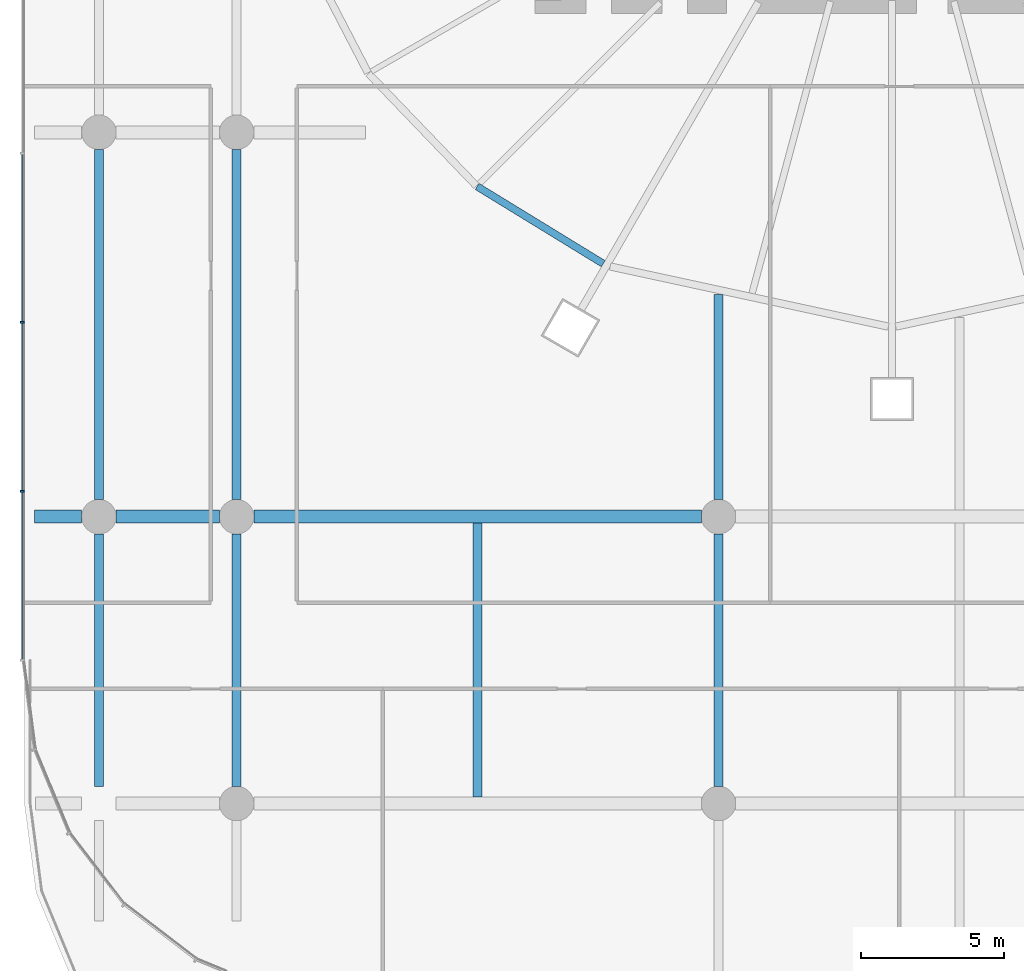
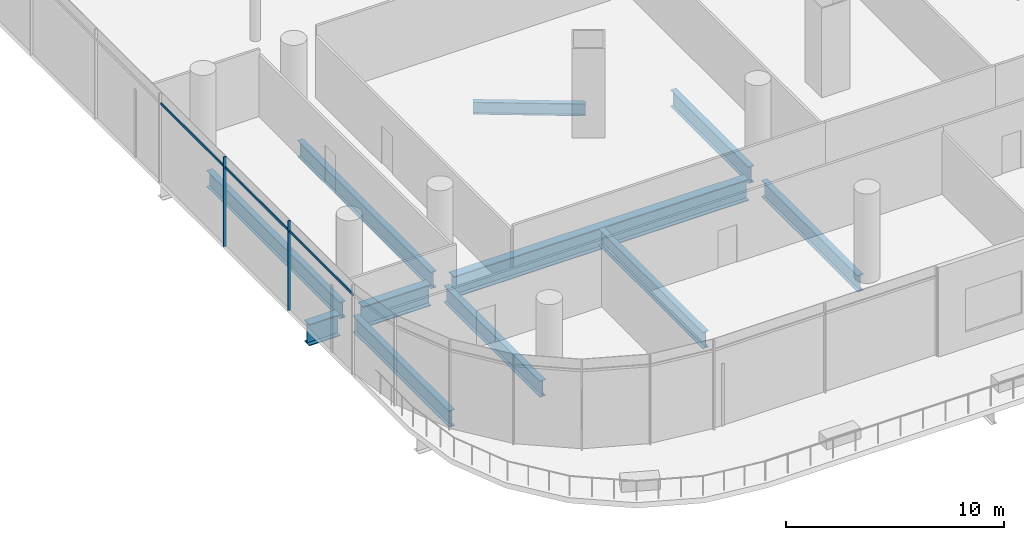
# One storey, part 4 of 51: 11 beams, 5 members, 1 element without a shape of its own.
"""IFC4 building model written with IfcOpenShell, lengths in metres."""

from ifc_helpers import new_model, si_unit, direction, frame, origin, origin_2d, place, context, subcontext, project, spatial, rectangle, i_section, extrude, material, material_profile, profile_set, type_object, element, aggregate, save


model = new_model("IFC4")

# Units and contexts
model_context = context("Model", 3, precision=1e-05, world=origin(), true_north=direction((0.0, 1.0)))
body_context = subcontext(model_context, "Body", "Model", "MODEL_VIEW")
ifc_project = project(units=[si_unit("LENGTHUNIT", "METRE"), si_unit("AREAUNIT", "SQUARE_METRE"), si_unit("VOLUMEUNIT", "CUBIC_METRE"), si_unit("PLANEANGLEUNIT", "RADIAN"), si_unit("MASSUNIT", "GRAM", prefix="KILO")], contexts=[model_context])

# Site, building, storey
site_placement = place(None, origin())
site = spatial("IfcSite", under=ifc_project, at=site_placement, CompositionType="ELEMENT")
building_placement = place(site_placement, origin())
building = spatial("IfcBuilding", under=site, at=building_placement, Name="Rimbun Link Towers", CompositionType="ELEMENT")
storey_placement = place(building_placement, frame((0.0, 0.0, 7.0)))
storey = spatial("IfcBuildingStorey", under=building, at=storey_placement, Name="L01", CompositionType="ELEMENT", Elevation=7.0)

# Curtain wall, members
ifc_material_1 = material(Name="Aluminium 6063-T6 and low-iron glass", Category="aluminium")
curtain_wall_type = type_object("IfcCurtainWallType", Name="CW3 podium shopfront", PredefinedType="NOTDEFINED", material=ifc_material_1)
curtain_wall_placement = place(storey_placement, origin())
curtain_wall = element("IfcCurtainWall", 1, at=curtain_wall_placement, inside=storey, type_object=curtain_wall_type, Name="CW3 L01 PD", PredefinedType="NOTDEFINED")
ifc_material_2 = material(Name="Aluminium 6063-T6", Category="aluminium")
ifc_material_profile_1 = material_profile(ifc_material_2, rectangle(XDim=0.14990234375, YDim=0.06005859375, at=origin_2d()), Name="MULLION 60X150")
ifc_profile_set_1 = profile_set([ifc_material_profile_1], Name="Aluminium 6063-T6")
member_type_1 = type_object("IfcMemberType", Name="CW3 mullion 60X150", PredefinedType="MULLION", material=ifc_profile_set_1)
member_1_placement = place(storey_placement, frame((-62.074951171875, -19.22216796875, 0.0), z_axis=(0.0, 0.0, 1.0), x_axis=(-1.0, 0.0, 0.0)))
member_1 = element("IfcMember", 2, at=member_1_placement, type_object=member_type_1, Name="CW3 mullion", PredefinedType="MULLION", context=body_context, shape_type="SweptSolid", body=[
    extrude(rectangle(XDim=0.14990234375, YDim=0.06005859375, at=origin_2d()), origin(), (0.0, 0.0, 1.0), 5.0),
])
member_2_placement = place(storey_placement, frame((-62.074951171875, -25.111083984375, 0.0), z_axis=(0.0, 0.0, 1.0), x_axis=(-1.0, 0.0, 0.0)))
member_2 = element("IfcMember", 3, at=member_2_placement, type_object=member_type_1, Name="CW3 mullion", PredefinedType="MULLION", context=body_context, shape_type="SweptSolid", body=[
    extrude(rectangle(XDim=0.14990234375, YDim=0.06005859375, at=origin_2d()), origin(), (0.0, 0.0, 1.0), 5.0),
])
ifc_material_3 = material(Name="Aluminium 6063-T6", Category="aluminium")
ifc_material_profile_2 = material_profile(ifc_material_3, rectangle(XDim=0.06005859375, YDim=0.1201171875, at=origin_2d()), Name="TRANSOM 60X120")
ifc_profile_set_2 = profile_set([ifc_material_profile_2], Name="Aluminium 6063-T6")
member_type_2 = type_object("IfcMemberType", Name="CW3 transom 60X120", PredefinedType="USERDEFINED", material=ifc_profile_set_2)
member_3_placement = place(storey_placement, frame((-62.053955078125, -19.192138671875, 4.39990234375), z_axis=(0.0, 1.0, 0.0), x_axis=(-1.0, 0.0, 0.0)))
member_3 = element("IfcMember", 4, at=member_3_placement, type_object=member_type_2, Name="CW3 transom", ObjectType="TRANSOM", PredefinedType="USERDEFINED", context=body_context, shape_type="SweptSolid", body=[
    extrude(rectangle(XDim=0.06005859375, YDim=0.1201171875, at=origin_2d()), origin(), (0.0, 0.0, 1.0), 5.828857421875),
])
member_4_placement = place(storey_placement, frame((-62.053955078125, -25.0810546875, 4.39990234375), z_axis=(0.0, 1.0, 0.0), x_axis=(-1.0, 0.0, 0.0)))
member_4 = element("IfcMember", 5, at=member_4_placement, type_object=member_type_2, Name="CW3 transom", ObjectType="TRANSOM", PredefinedType="USERDEFINED", context=body_context, shape_type="SweptSolid", body=[
    extrude(rectangle(XDim=0.06005859375, YDim=0.1201171875, at=origin_2d()), origin(), (0.0, 0.0, 1.0), 5.828857421875),
])
member_5_placement = place(storey_placement, frame((-62.053955078125, -30.969970703125, 4.39990234375), z_axis=(0.0, 1.0, 0.0), x_axis=(-1.0, 0.0, 0.0)))
member_5 = element("IfcMember", 6, at=member_5_placement, type_object=member_type_2, Name="CW3 transom", ObjectType="TRANSOM", PredefinedType="USERDEFINED", context=body_context, shape_type="SweptSolid", body=[
    extrude(rectangle(XDim=0.06005859375, YDim=0.1201171875, at=origin_2d()), origin(), (0.0, 0.0, 1.0), 5.828857421875),
])
aggregate(curtain_wall, [member_1, member_2, member_3, member_4, member_5])

# Beams
ifc_material_4 = material(Name="Steel S355J2", Category="steel")
ifc_material_profile_3 = material_profile(ifc_material_4, i_section(OverallWidth=0.449951171875, OverallDepth=1.199951171875, WebThickness=0.030029296875, FlangeThickness=0.044921875, at=origin_2d()), Name="PG 1200x450x30/45")
ifc_profile_set_3 = profile_set([ifc_material_profile_3], Name="Steel S355J2")
beam_type_1 = type_object("IfcBeamType", Name="PG 1200x450x30/45", PredefinedType="BEAM", material=ifc_profile_set_3)
beam_1_placement = place(storey_placement, frame((-61.649169921875, -26.0, -0.89990234375), z_axis=(1.0, 0.0, 0.0), x_axis=(0.0, 1.0, 0.0)))
element("IfcBeam", 7, at=beam_1_placement, inside=storey, type_object=beam_type_1, Name="Grid beam L01 -26.0", PredefinedType="BEAM", context=body_context, shape_type="SweptSolid", body=[
    extrude(i_section(OverallWidth=0.449951171875, OverallDepth=1.199951171875, WebThickness=0.030029296875, FlangeThickness=0.044921875, at=origin_2d()), origin(), (0.0, 0.0, 1.0), 1.649169921875),
])
beam_2_placement = place(storey_placement, frame((-58.800048828125, -26.0, -0.89990234375), z_axis=(1.0, 0.0, 0.0), x_axis=(0.0, 1.0, 0.0)))
element("IfcBeam", 8, at=beam_2_placement, inside=storey, type_object=beam_type_1, Name="Grid beam L01 -26.0", PredefinedType="BEAM", context=body_context, shape_type="SweptSolid", body=[
    extrude(i_section(OverallWidth=0.449951171875, OverallDepth=1.199951171875, WebThickness=0.030029296875, FlangeThickness=0.044921875, at=origin_2d()), origin(), (0.0, 0.0, 1.0), 3.60009765625),
])
beam_3_placement = place(storey_placement, frame((-54.0, -26.0, -0.89990234375), z_axis=(1.0, 0.0, 0.0), x_axis=(0.0, 1.0, 0.0)))
element("IfcBeam", 9, at=beam_3_placement, inside=storey, type_object=beam_type_1, Name="Grid beam L01 -26.0", PredefinedType="BEAM", context=body_context, shape_type="SweptSolid", body=[
    extrude(i_section(OverallWidth=0.449951171875, OverallDepth=1.199951171875, WebThickness=0.030029296875, FlangeThickness=0.044921875, at=origin_2d()), origin(), (0.0, 0.0, 1.0), 15.60009765625),
])
ifc_material_5 = material(Name="Steel S355J2", Category="steel")
ifc_material_profile_4 = material_profile(ifc_material_5, i_section(OverallWidth=0.253662109375, OverallDepth=0.68359375, WebThickness=0.012451171875, FlangeThickness=0.01904296875, at=origin_2d()), Name="UB 686x254x140")
ifc_profile_set_4 = profile_set([ifc_material_profile_4], Name="Steel S355J2")
beam_type_2 = type_object("IfcBeamType", Name="UB 686x254x140", PredefinedType="BEAM", material=ifc_profile_set_4)
beam_4_placement = place(storey_placement, frame((-46.21435546875, -14.488037109375, -0.641845703125), z_axis=(0.852707458773, -0.522388734328, 0.0), x_axis=(0.522388734328, 0.852707458773, 0.0)))
element("IfcBeam", 10, at=beam_4_placement, inside=storey, type_object=beam_type_2, Name="Edge beam T1 L01 15", PredefinedType="BEAM", context=body_context, shape_type="SweptSolid", body=[
    extrude(i_section(OverallWidth=0.253662109375, OverallDepth=0.68359375, WebThickness=0.012451171875, FlangeThickness=0.01904296875, at=origin_2d()), origin(), (0.0, 0.0, 1.0), 5.153076171875),
])
ifc_material_6 = material(Name="Steel S355J2", Category="steel")
ifc_material_profile_5 = material_profile(ifc_material_6, i_section(OverallWidth=0.305419921875, OverallDepth=0.91845703125, WebThickness=0.017333984375, FlangeThickness=0.02783203125, at=origin_2d()), Name="UB 914x305x253")
ifc_profile_set_5 = profile_set([ifc_material_profile_5], Name="Steel S355J2")
beam_type_3 = type_object("IfcBeamType", Name="UB 914x305x253", PredefinedType="BEAM", material=ifc_profile_set_5)
beam_5_placement = place(storey_placement, frame((-59.39990234375, -35.39990234375, -0.75927734375), z_axis=(0.0, 1.0, 0.0), x_axis=(-1.0, 0.0, 0.0)))
element("IfcBeam", 11, at=beam_5_placement, inside=storey, type_object=beam_type_3, Name="Grid beam L01 -59.4", PredefinedType="BEAM", context=body_context, shape_type="SweptSolid", body=[
    extrude(i_section(OverallWidth=0.305419921875, OverallDepth=0.91845703125, WebThickness=0.017333984375, FlangeThickness=0.02783203125, at=origin_2d()), origin(), (0.0, 0.0, 1.0), 8.7998046875),
])
beam_6_placement = place(storey_placement, frame((-59.39990234375, -25.39990234375, -0.75927734375), z_axis=(0.0, 1.0, 0.0), x_axis=(-1.0, 0.0, 0.0)))
element("IfcBeam", 12, at=beam_6_placement, inside=storey, type_object=beam_type_3, Name="Grid beam L01 -59.4", PredefinedType="BEAM", context=body_context, shape_type="SweptSolid", body=[
    extrude(i_section(OverallWidth=0.305419921875, OverallDepth=0.91845703125, WebThickness=0.017333984375, FlangeThickness=0.02783203125, at=origin_2d()), origin(), (0.0, 0.0, 1.0), 12.199951171875),
])
beam_7_placement = place(storey_placement, frame((-54.60009765625, -35.39990234375, -0.75927734375), z_axis=(0.0, 1.0, 0.0), x_axis=(-1.0, 0.0, 0.0)))
element("IfcBeam", 13, at=beam_7_placement, inside=storey, type_object=beam_type_3, Name="Grid beam L01 -54.6", PredefinedType="BEAM", context=body_context, shape_type="SweptSolid", body=[
    extrude(i_section(OverallWidth=0.305419921875, OverallDepth=0.91845703125, WebThickness=0.017333984375, FlangeThickness=0.02783203125, at=origin_2d()), origin(), (0.0, 0.0, 1.0), 8.7998046875),
])
beam_8_placement = place(storey_placement, frame((-54.60009765625, -25.39990234375, -0.75927734375), z_axis=(0.0, 1.0, 0.0), x_axis=(-1.0, 0.0, 0.0)))
element("IfcBeam", 14, at=beam_8_placement, inside=storey, type_object=beam_type_3, Name="Grid beam L01 -54.6", PredefinedType="BEAM", context=body_context, shape_type="SweptSolid", body=[
    extrude(i_section(OverallWidth=0.305419921875, OverallDepth=0.91845703125, WebThickness=0.017333984375, FlangeThickness=0.02783203125, at=origin_2d()), origin(), (0.0, 0.0, 1.0), 12.199951171875),
])
beam_9_placement = place(storey_placement, frame((-46.199951171875, -35.77490234375, -0.75927734375), z_axis=(0.0, 1.0, 0.0), x_axis=(-1.0, 0.0, 0.0)))
element("IfcBeam", 15, at=beam_9_placement, inside=storey, type_object=beam_type_3, Name="Grid beam L01 -46.2", PredefinedType="BEAM", context=body_context, shape_type="SweptSolid", body=[
    extrude(i_section(OverallWidth=0.305419921875, OverallDepth=0.91845703125, WebThickness=0.017333984375, FlangeThickness=0.02783203125, at=origin_2d()), origin(), (0.0, 0.0, 1.0), 9.5498046875),
])
beam_10_placement = place(storey_placement, frame((-37.800048828125, -35.39990234375, -0.75927734375), z_axis=(0.0, 1.0, 0.0), x_axis=(-1.0, 0.0, 0.0)))
element("IfcBeam", 16, at=beam_10_placement, inside=storey, type_object=beam_type_3, Name="Grid beam L01 -37.8", PredefinedType="BEAM", context=body_context, shape_type="SweptSolid", body=[
    extrude(i_section(OverallWidth=0.305419921875, OverallDepth=0.91845703125, WebThickness=0.017333984375, FlangeThickness=0.02783203125, at=origin_2d()), origin(), (0.0, 0.0, 1.0), 8.7998046875),
])
beam_11_placement = place(storey_placement, frame((-37.800048828125, -25.39990234375, -0.75927734375), z_axis=(0.0, 1.0, 0.0), x_axis=(-1.0, 0.0, 0.0)))
element("IfcBeam", 17, at=beam_11_placement, inside=storey, type_object=beam_type_3, Name="Grid beam L01 -37.8", PredefinedType="BEAM", context=body_context, shape_type="SweptSolid", body=[
    extrude(i_section(OverallWidth=0.305419921875, OverallDepth=0.91845703125, WebThickness=0.017333984375, FlangeThickness=0.02783203125, at=origin_2d()), origin(), (0.0, 0.0, 1.0), 7.14208984375),
])

save(model, "model.ifc")
